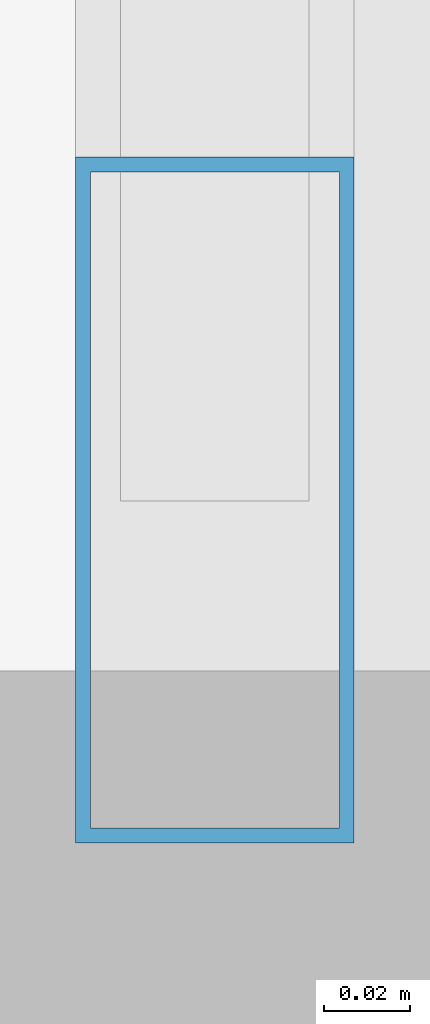
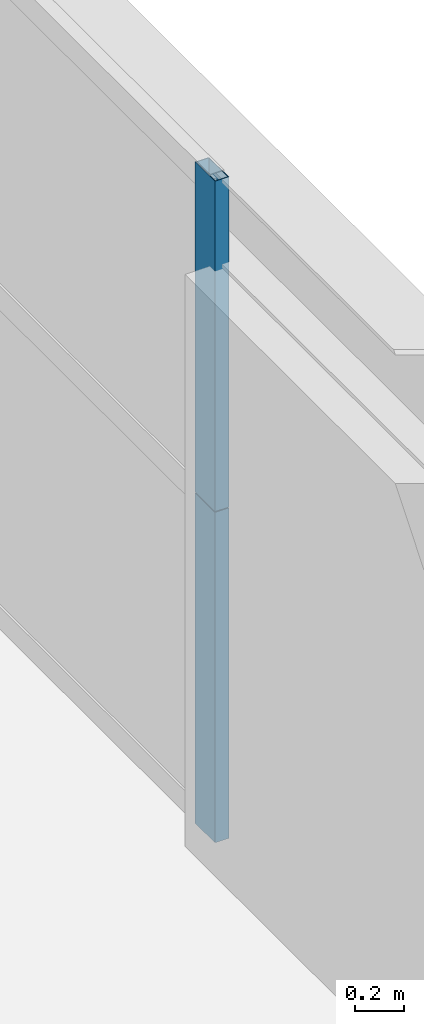
# One storey, part 14 of 33: 2 members, 1 element without a shape of its own.
"""IFC4 building model written with IfcOpenShell, lengths in metres."""

from ifc_helpers import new_model, si_unit, direction, frame, origin, origin_2d, place, context, subcontext, project, spatial, hollow_rectangle, extrude, source, transform, mapped, material, layer, layer_set, material_profile, profile_set, type_object, element, aggregate, save


model = new_model("IFC4")

# Units and contexts
model_context = context("Model", 3, precision=1e-05, world=origin(), true_north=direction((0.0, 1.0)))
body_context = subcontext(model_context, "Body", "Model", "MODEL_VIEW")
ifc_project = project(units=[si_unit("LENGTHUNIT", "METRE"), si_unit("AREAUNIT", "SQUARE_METRE"), si_unit("VOLUMEUNIT", "CUBIC_METRE"), si_unit("PLANEANGLEUNIT", "RADIAN"), si_unit("MASSUNIT", "GRAM", prefix="KILO"), si_unit("THERMODYNAMICTEMPERATUREUNIT", "KELVIN"), si_unit("POWERUNIT", "WATT")], contexts=[model_context])

# Site, building, storey
site_placement = place(None, origin())
site = spatial("IfcSite", under=ifc_project, at=site_placement, CompositionType="ELEMENT")
building_placement = place(site_placement, origin())
building = spatial("IfcBuilding", under=site, at=building_placement, Name="Yuzanri Waterfront Tower", CompositionType="ELEMENT")
storey_placement = place(building_placement, frame((0.0, 0.0, 234.60009765625)))
storey = spatial("IfcBuildingStorey", under=building, at=storey_placement, Name="L62", CompositionType="ELEMENT", Elevation=234.60009765625)

# Curtain wall, members
ifc_material_1 = material(Name="Anodized Architectural Bronze", Category="metal")
ifc_layer = layer(ifc_material_1, 0.159912109375)
ifc_layer_set = layer_set([ifc_layer], Name="Anodized Architectural Bronze")
curtain_wall_type = type_object("IfcCurtainWallType", Name="Anodized Bronze Mid-Rise Residential Acoustic Unitized Curtain Wall 7200", PredefinedType="NOTDEFINED", material=ifc_layer_set)
curtain_wall_placement = place(storey_placement, origin())
curtain_wall = element("IfcCurtainWall", 1, at=curtain_wall_placement, inside=storey, type_object=curtain_wall_type, Name="L62 Curtain Wall CW-L62-EL", PredefinedType="NOTDEFINED")
ifc_material_2 = material(Name="Anodized Architectural Bronze", Category="metal")
ifc_material_profile = material_profile(ifc_material_2, hollow_rectangle(XDim=0.06494140625, YDim=0.159912109375, WallThickness=0.00341796875, at=origin_2d()), Name="CWM 65x160")
ifc_profile_set = profile_set([ifc_material_profile], Name="Anodized Architectural Bronze")
member_type = type_object("IfcMemberType", Name="Anodized Bronze Upper-Zone Curtain-Wall Mullion 65x160", PredefinedType="MULLION", material=ifc_profile_set)
shared_shape = source(origin(), body_context, "Body", "SweptSolid", [
    extrude(hollow_rectangle(XDim=0.06494140625, YDim=0.159912109375, WallThickness=0.00341796875, at=origin_2d()), origin(), (0.0, 0.0, 1.0), 1.637939453125),
])
member_1_placement = place(storey_placement, frame((57.449951171875, 12.590087890625, 0.0), z_axis=(0.0, 0.0, 1.0), x_axis=(1.0, 0.0, 0.0)))
member_1 = element("IfcMember", 2, at=member_1_placement, type_object=member_type, Name="CW-L62-EL Lower Mullion 00", PredefinedType="MULLION", context=body_context, shape_type="MappedRepresentation", body=[
    mapped(shared_shape, transform((0.0, 0.0, 0.0), scale=1.0)),
])
member_2_placement = place(storey_placement, frame((57.449951171875, 12.590087890625, 1.641845703125), z_axis=(0.0, 0.0, 1.0), x_axis=(1.0, 0.0, 0.0)))
member_2 = element("IfcMember", 3, at=member_2_placement, type_object=member_type, Name="CW-L62-EL Upper Mullion 00", PredefinedType="MULLION", context=body_context, shape_type="MappedRepresentation", body=[
    mapped(shared_shape, transform((0.0, 0.0, 0.0), scale=1.0)),
])
aggregate(curtain_wall, [member_1, member_2])

save(model, "model.ifc")
